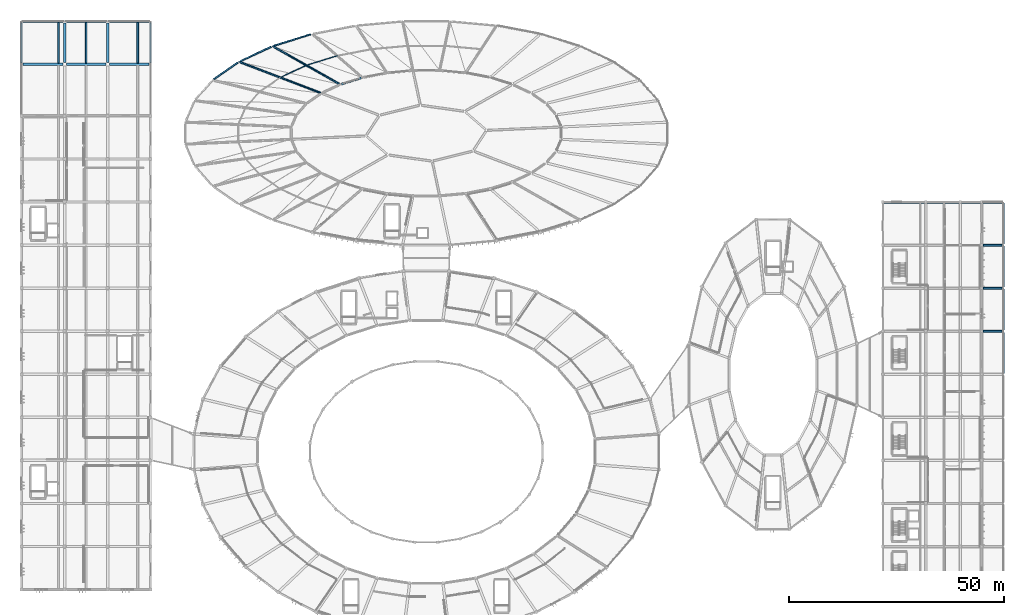
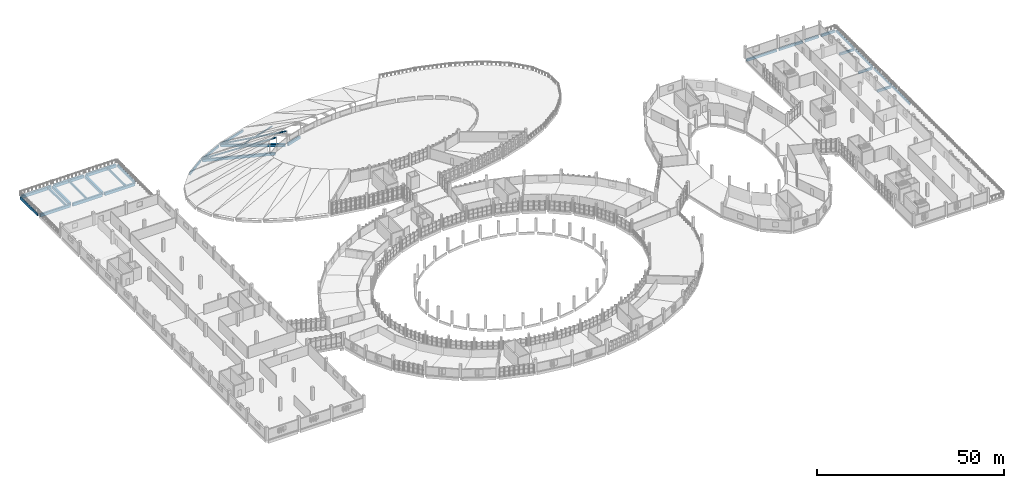
# One storey, part 68 of 142: 30 beams, 4 members.
"""IFC4 building model written with IfcOpenShell, lengths in metres."""

from ifc_helpers import new_model, si_unit, direction, frame, origin, origin_2d, place, context, subcontext, project, spatial, rectangle, i_section, extrude, material, material_profile, profile_set, type_object, element, save


model = new_model("IFC4")

# Units and contexts
model_context = context("Model", 3, precision=1e-05, world=origin(), true_north=direction((0.0, 1.0)))
body_context = subcontext(model_context, "Body", "Model", "MODEL_VIEW")
ifc_project = project(units=[si_unit("LENGTHUNIT", "METRE"), si_unit("AREAUNIT", "SQUARE_METRE"), si_unit("VOLUMEUNIT", "CUBIC_METRE"), si_unit("PLANEANGLEUNIT", "RADIAN"), si_unit("MASSUNIT", "GRAM", prefix="KILO")], contexts=[model_context])

# Site, building, storey
site_placement = place(None, origin())
site = spatial("IfcSite", under=ifc_project, at=site_placement, CompositionType="ELEMENT")
building_placement = place(site_placement, origin())
building = spatial("IfcBuilding", under=site, at=building_placement, Name="Corvandel Quay Wholesale Market", CompositionType="ELEMENT")
storey_placement = place(building_placement, frame((0.0, 0.0, 10.800048828125)))
storey = spatial("IfcBuildingStorey", under=building, at=storey_placement, Name="L02", CompositionType="ELEMENT", Elevation=10.800048828125)

# Beams
ifc_material_1 = material(Name="Precast concrete C45/55", Category="concrete")
ifc_material_profile_1 = material_profile(ifc_material_1, rectangle(XDim=0.550048828125, YDim=0.949951171875, at=origin_2d()), Name="PC-GIR-550x950")
ifc_profile_set_1 = profile_set([ifc_material_profile_1], Name="Precast concrete C45/55")
beam_type_1 = type_object("IfcBeamType", Name="Cold Store Floor Girder G02 550x950", PredefinedType="USERDEFINED", material=ifc_profile_set_1)
for number, where, z_axis, x_axis, name in (
    (1, (20.39501953125, 132.0, -0.795166015625), (1.0, 0.0, 0.0), (0.0, 1.0, 0.0), "Beam BM-1185"),
    (2, (30.39501953125, 132.0, -0.795166015625), (1.0, 0.0, 0.0), (0.0, 1.0, 0.0), "Beam BM-1186"),
    (3, (40.39501953125, 132.0, -0.795166015625), (1.0, 0.0, 0.0), (0.0, 1.0, 0.0), "Beam BM-1187"),
    (4, (20.39501953125, 142.0, -0.795166015625), (1.0, 0.0, 0.0), (0.0, 1.0, 0.0), "Beam BM-1188"),
    (5, (30.39501953125, 142.0, -0.795166015625), (1.0, 0.0, 0.0), (0.0, 1.0, 0.0), "Beam BM-1189"),
    (6, (40.39501953125, 142.0, -0.795166015625), (1.0, 0.0, 0.0), (0.0, 1.0, 0.0), "Beam BM-1190"),
    (7, (30.0, 132.39501953125, -0.795166015625), (0.0, 1.0, 0.0), (-1.0, 0.0, 0.0), "Beam BM-1216"),
    (8, (40.0, 132.39501953125, -0.795166015625), (0.0, 1.0, 0.0), (-1.0, 0.0, 0.0), "Beam BM-1229"),
):
    element("IfcBeam", number, at=place(storey_placement, frame(where, z_axis=z_axis, x_axis=x_axis)), inside=storey, type_object=beam_type_1, Name=name, ObjectType="GIRDER", PredefinedType="USERDEFINED", context=body_context, shape_type="SweptSolid", body=[
        extrude(rectangle(XDim=0.550048828125, YDim=0.949951171875, at=origin_2d()), origin(), (0.0, 0.0, 1.0), 9.2099609375),
    ])
ifc_material_profile_2 = material_profile(ifc_material_1, rectangle(XDim=0.39990234375, YDim=0.64990234375, at=origin_2d()), Name="PC-BM-400x650")
ifc_profile_set_2 = profile_set([ifc_material_profile_2], Name="Precast concrete C45/55")
beam_type_2 = type_object("IfcBeamType", Name="Cold Store Secondary Beam B01 400x650", PredefinedType="BEAM", material=ifc_profile_set_2)
for number, where, z_axis, x_axis, name in (
    (9, (28.60009765625, 132.264892578125, -0.64501953125), (0.0, 1.0, 0.0), (-1.0, 0.0, 0.0), "Beam BM-1255"),
    (10, (35.0, 132.264892578125, -0.64501953125), (0.0, 1.0, 0.0), (-1.0, 0.0, 0.0), "Beam BM-1268"),
    (11, (47.0, 132.264892578125, -0.64501953125), (0.0, 1.0, 0.0), (-1.0, 0.0, 0.0), "Beam BM-1281"),
):
    element("IfcBeam", number, at=place(storey_placement, frame(where, z_axis=z_axis, x_axis=x_axis)), inside=storey, type_object=beam_type_2, Name=name, PredefinedType="BEAM", context=body_context, shape_type="SweptSolid", body=[
        extrude(rectangle(XDim=0.39990234375, YDim=0.64990234375, at=origin_2d()), origin(), (0.0, 0.0, 1.0), 9.47021484375),
    ])
ifc_material_profile_3 = material_profile(ifc_material_1, rectangle(XDim=0.5, YDim=0.85009765625, at=origin_2d()), Name="PC-GIR-500x850")
ifc_profile_set_3 = profile_set([ifc_material_profile_3], Name="Precast concrete C45/55")
beam_type_3 = type_object("IfcBeamType", Name="Fish Hall Radial Girder G04 500x850", PredefinedType="USERDEFINED", material=ifc_profile_set_3)
beam_1_placement = place(storey_placement, frame((98.83935546875, 128.80810546875, -0.7451171875), z_axis=(-0.955058603289, -0.296417044522, 0.0), x_axis=(0.296417044522, -0.955058603289, 0.0)))
element("IfcBeam", 12, at=beam_1_placement, inside=storey, type_object=beam_type_3, Name="Beam BM-0595", ObjectType="GIRDER", PredefinedType="USERDEFINED", context=body_context, shape_type="SweptSolid", body=[
    extrude(rectangle(XDim=0.5, YDim=0.85009765625, at=origin_2d()), origin(), (0.0, 0.0, 1.0), 4.737548828125),
])
beam_2_placement = place(storey_placement, frame((78.602294921875, 136.026123046875, -0.7451171875), z_axis=(0.87034431954, -0.492443667281, 0.0), x_axis=(0.492443667281, 0.87034431954, 0.0)))
element("IfcBeam", 13, at=beam_2_placement, inside=storey, type_object=beam_type_3, Name="Beam BM-0603", ObjectType="GIRDER", PredefinedType="USERDEFINED", context=body_context, shape_type="SweptSolid", body=[
    extrude(rectangle(XDim=0.5, YDim=0.85009765625, at=origin_2d()), origin(), (0.0, 0.0, 1.0), 17.3818359375),
])
beam_3_placement = place(storey_placement, frame((70.824462890625, 132.451171875, -0.7451171875), z_axis=(0.934456894514, -0.356076273142, 0.0), x_axis=(0.356076273142, 0.934456894514, 0.0)))
element("IfcBeam", 14, at=beam_3_placement, inside=storey, type_object=beam_type_3, Name="Beam BM-0610", ObjectType="GIRDER", PredefinedType="USERDEFINED", context=body_context, shape_type="SweptSolid", body=[
    extrude(rectangle(XDim=0.5, YDim=0.85009765625, at=origin_2d()), origin(), (0.0, 0.0, 1.0), 19.81640625),
])
ifc_material_profile_4 = material_profile(ifc_material_1, rectangle(XDim=0.320068359375, YDim=0.75, at=origin_2d()), Name="PC-SPN-320x750")
ifc_profile_set_4 = profile_set([ifc_material_profile_4], Name="Precast concrete C45/55")
beam_type_4 = type_object("IfcBeamType", Name="Pavilion Precast Spandrel SP02 320x750", PredefinedType="SPANDREL", material=ifc_profile_set_4)
beam_4_placement = place(storey_placement, frame((87.14453125, 138.938720703125, -0.695068359375), z_axis=(-0.95510610539, -0.296263948949, 0.0), x_axis=(0.296263948949, -0.95510610539, 0.0)))
element("IfcBeam", 15, at=beam_4_placement, inside=storey, type_object=beam_type_4, Name="Beam BM-0594", PredefinedType="SPANDREL", context=body_context, shape_type="SweptSolid", body=[
    extrude(rectangle(XDim=0.320068359375, YDim=0.75, at=origin_2d()), origin(), (0.0, 0.0, 1.0), 8.9130859375),
])
beam_5_placement = place(storey_placement, frame((77.989013671875, 136.05078125, -0.695068359375), z_axis=(-0.906974018607, -0.421186573351, 0.0), x_axis=(0.421186573351, -0.906974018607, 0.0)))
element("IfcBeam", 16, at=beam_5_placement, inside=storey, type_object=beam_type_4, Name="Beam BM-0601", PredefinedType="SPANDREL", context=body_context, shape_type="SweptSolid", body=[
    extrude(rectangle(XDim=0.320068359375, YDim=0.75, at=origin_2d()), origin(), (0.0, 0.0, 1.0), 7.909912109375),
])
beam_6_placement = place(storey_placement, frame((70.21875, 132.377197265625, -0.695068359375), z_axis=(-0.821255489916, -0.570560619289, 0.0), x_axis=(0.570560619289, -0.821255489916, 0.0)))
element("IfcBeam", 17, at=beam_6_placement, inside=storey, type_object=beam_type_4, Name="Beam BM-0608", PredefinedType="SPANDREL", context=body_context, shape_type="SweptSolid", body=[
    extrude(rectangle(XDim=0.320068359375, YDim=0.75, at=origin_2d()), origin(), (0.0, 0.0, 1.0), 6.773193359375),
])
ifc_material_profile_5 = material_profile(ifc_material_1, rectangle(XDim=0.35009765625, YDim=0.85009765625, at=origin_2d()), Name="PC-SPN-350x850")
ifc_profile_set_5 = profile_set([ifc_material_profile_5], Name="Precast concrete C45/55")
beam_type_5 = type_object("IfcBeamType", Name="Perimeter Precast Spandrel SP01 350x850", PredefinedType="SPANDREL", material=ifc_profile_set_5)
for number, where, z_axis, x_axis, name in (
    (18, (20.0, 132.39501953125, -0.7451171875), (0.0, 1.0, 0.0), (-1.0, 0.0, 0.0), "Beam BM-1203"),
    (19, (50.0, 132.39501953125, -0.7451171875), (0.0, 1.0, 0.0), (-1.0, 0.0, 0.0), "Beam BM-1242"),
):
    element("IfcBeam", number, at=place(storey_placement, frame(where, z_axis=z_axis, x_axis=x_axis)), inside=storey, type_object=beam_type_5, Name=name, PredefinedType="SPANDREL", context=body_context, shape_type="SweptSolid", body=[
        extrude(rectangle(XDim=0.35009765625, YDim=0.85009765625, at=origin_2d()), origin(), (0.0, 0.0, 1.0), 9.2099609375),
    ])

# Members
ifc_material_2 = material(Name="Steel A992 Grade 50", Category="steel")
ifc_material_profile_6 = material_profile(ifc_material_2, i_section(OverallWidth=0.14697265625, OverallDepth=0.261962890625, WebThickness=0.006591796875, FlangeThickness=0.01123046875, at=origin_2d()), Name="W10X26")
ifc_profile_set_6 = profile_set([ifc_material_profile_6], Name="Steel A992 Grade 50")
member_type_1 = type_object("IfcMemberType", Name="Roof Clerestory Purlin Rafter RF03 W10X26", PredefinedType="RAFTER", material=ifc_profile_set_6)
member_1_placement = place(storey_placement, frame((93.3095703125, 133.971923828125, 1.591064453125), z_axis=(-0.955092130578, -0.296308997682, 0.0), x_axis=(0.296308997682, -0.955092130578, 0.0)))
element("IfcMember", 20, at=member_1_placement, inside=storey, type_object=member_type_1, Name="Member MEM-0015", PredefinedType="RAFTER", context=body_context, shape_type="SweptSolid", body=[
    extrude(i_section(OverallWidth=0.14697265625, OverallDepth=0.261962890625, WebThickness=0.006591796875, FlangeThickness=0.01123046875, at=origin_2d()), origin(), (0.0, 0.0, 1.0), 7.490478515625),
])
member_2_placement = place(storey_placement, frame((86.155517578125, 131.75244140625, 1.93798828125), z_axis=(-0.906995065636, -0.421141248173, 0.0), x_axis=(0.421141248173, -0.906995065636, 0.0)))
element("IfcMember", 21, at=member_2_placement, inside=storey, type_object=member_type_1, Name="Member MEM-0018", PredefinedType="RAFTER", context=body_context, shape_type="SweptSolid", body=[
    extrude(i_section(OverallWidth=0.14697265625, OverallDepth=0.261962890625, WebThickness=0.006591796875, FlangeThickness=0.01123046875, at=origin_2d()), origin(), (0.0, 0.0, 1.0), 6.707763671875),
])
ifc_material_profile_7 = material_profile(ifc_material_2, i_section(OverallWidth=0.19091796875, OverallDepth=0.4599609375, WebThickness=0.010009765625, FlangeThickness=0.01611328125, at=origin_2d()), Name="W18X55")
ifc_profile_set_7 = profile_set([ifc_material_profile_7], Name="Steel A992 Grade 50")
member_type_2 = type_object("IfcMemberType", Name="Sawtooth Clerestory Rafter RF02 W18X55", PredefinedType="RAFTER", material=ifc_profile_set_7)
member_3_placement = place(storey_placement, frame((78.302001953125, 136.196044921875, -0.340087890625), z_axis=(0.848290611345, -0.479958756273, 0.223702103209), x_axis=(0.492438342969, 0.870347332031, 0.0)))
element("IfcMember", 22, at=member_3_placement, inside=storey, type_object=member_type_2, Name="Member MEM-0016", PredefinedType="RAFTER", context=body_context, shape_type="SweptSolid", body=[
    extrude(i_section(OverallWidth=0.19091796875, OverallDepth=0.4599609375, WebThickness=0.010009765625, FlangeThickness=0.01611328125, at=origin_2d()), origin(), (0.0, 0.0, 1.0), 18.51611328125),
])
member_4_placement = place(storey_placement, frame((70.501953125, 132.573974609375, -0.340087890625), z_axis=(0.909450959166, -0.346545897035, 0.229793155078), x_axis=(0.356074635705, 0.934457518461, 0.0)))
element("IfcMember", 23, at=member_4_placement, inside=storey, type_object=member_type_2, Name="Member MEM-0019", PredefinedType="RAFTER", context=body_context, shape_type="SweptSolid", body=[
    extrude(i_section(OverallWidth=0.19091796875, OverallDepth=0.4599609375, WebThickness=0.010009765625, FlangeThickness=0.01611328125, at=origin_2d()), origin(), (0.0, 0.0, 1.0), 21.044677734375),
])

# Beams
ifc_material_profile_8 = material_profile(ifc_material_1, rectangle(XDim=0.300048828125, YDim=0.699951171875, at=origin_2d()), Name="PC-SPN-300x700")
ifc_profile_set_8 = profile_set([ifc_material_profile_8], Name="Precast concrete C45/55")
beam_type_6 = type_object("IfcBeamType", Name="Terrace Edge Spandrel SP03 300x700", PredefinedType="SPANDREL", material=ifc_profile_set_8)
for number, where, z_axis, x_axis, name in (
    (24, (248.0, 60.294921875, -0.670166015625), (0.0, 1.0, 0.0), (-1.0, 0.0, 0.0), "Beam BM-1590"),
    (25, (248.0, 70.294921875, -0.670166015625), (0.0, 1.0, 0.0), (-1.0, 0.0, 0.0), "Beam BM-1591"),
    (26, (248.0, 80.294921875, -0.670166015625), (0.0, 1.0, 0.0), (-1.0, 0.0, 0.0), "Beam BM-1592"),
    (27, (248.0, 90.294921875, -0.670166015625), (0.0, 1.0, 0.0), (-1.0, 0.0, 0.0), "Beam BM-1593"),
):
    element("IfcBeam", number, at=place(storey_placement, frame(where, z_axis=z_axis, x_axis=x_axis)), inside=storey, type_object=beam_type_6, Name=name, PredefinedType="SPANDREL", context=body_context, shape_type="SweptSolid", body=[
        extrude(rectangle(XDim=0.300048828125, YDim=0.699951171875, at=origin_2d()), origin(), (0.0, 0.0, 1.0), 9.41015625),
    ])
ifc_material_profile_9 = material_profile(ifc_material_1, rectangle(XDim=0.449951171875, YDim=0.75, at=origin_2d()), Name="PC-GIR-450x750")
ifc_profile_set_9 = profile_set([ifc_material_profile_9], Name="Precast concrete C45/55")
beam_type_7 = type_object("IfcBeamType", Name="Waterfront Office Girder G06 450x750", PredefinedType="USERDEFINED", material=ifc_profile_set_9)
for number, where, z_axis, x_axis, name in (
    (28, (243.3701171875, 70.0, -0.695068359375), (1.0, 0.0, 0.0), (0.0, 1.0, 0.0), "Beam BM-1536"),
    (29, (243.3701171875, 80.0, -0.695068359375), (1.0, 0.0, 0.0), (0.0, 1.0, 0.0), "Beam BM-1540"),
    (30, (243.3701171875, 90.0, -0.695068359375), (1.0, 0.0, 0.0), (0.0, 1.0, 0.0), "Beam BM-1544"),
):
    element("IfcBeam", number, at=place(storey_placement, frame(where, z_axis=z_axis, x_axis=x_axis)), inside=storey, type_object=beam_type_7, Name=name, ObjectType="GIRDER", PredefinedType="USERDEFINED", context=body_context, shape_type="SweptSolid", body=[
        extrude(rectangle(XDim=0.449951171875, YDim=0.75, at=origin_2d()), origin(), (0.0, 0.0, 1.0), 4.3349609375),
    ])
beam_7_placement = place(storey_placement, frame((220.3701171875, 100.0, -0.695068359375), z_axis=(1.0, 0.0, 0.0), x_axis=(0.0, 1.0, 0.0)))
element("IfcBeam", 31, at=beam_7_placement, inside=storey, type_object=beam_type_7, Name="Beam BM-1545", ObjectType="GIRDER", PredefinedType="USERDEFINED", context=body_context, shape_type="SweptSolid", body=[
    extrude(rectangle(XDim=0.449951171875, YDim=0.75, at=origin_2d()), origin(), (0.0, 0.0, 1.0), 9.259765625),
])
beam_8_placement = place(storey_placement, frame((230.3701171875, 100.0, -0.695068359375), z_axis=(1.0, 0.0, 0.0), x_axis=(0.0, 1.0, 0.0)))
element("IfcBeam", 32, at=beam_8_placement, inside=storey, type_object=beam_type_7, Name="Beam BM-1546", ObjectType="GIRDER", PredefinedType="USERDEFINED", context=body_context, shape_type="SweptSolid", body=[
    extrude(rectangle(XDim=0.449951171875, YDim=0.75, at=origin_2d()), origin(), (0.0, 0.0, 1.0), 7.259765625),
])
beam_9_placement = place(storey_placement, frame((238.3701171875, 100.0, -0.695068359375), z_axis=(1.0, 0.0, 0.0), x_axis=(0.0, 1.0, 0.0)))
element("IfcBeam", 33, at=beam_9_placement, inside=storey, type_object=beam_type_7, Name="Beam BM-1547", ObjectType="GIRDER", PredefinedType="USERDEFINED", context=body_context, shape_type="SweptSolid", body=[
    extrude(rectangle(XDim=0.449951171875, YDim=0.75, at=origin_2d()), origin(), (0.0, 0.0, 1.0), 4.259765625),
])
beam_10_placement = place(storey_placement, frame((243.3701171875, 100.0, -0.695068359375), z_axis=(1.0, 0.0, 0.0), x_axis=(0.0, 1.0, 0.0)))
element("IfcBeam", 34, at=beam_10_placement, inside=storey, type_object=beam_type_7, Name="Beam BM-1548", ObjectType="GIRDER", PredefinedType="USERDEFINED", context=body_context, shape_type="SweptSolid", body=[
    extrude(rectangle(XDim=0.449951171875, YDim=0.75, at=origin_2d()), origin(), (0.0, 0.0, 1.0), 4.3349609375),
])

save(model, "model.ifc")
